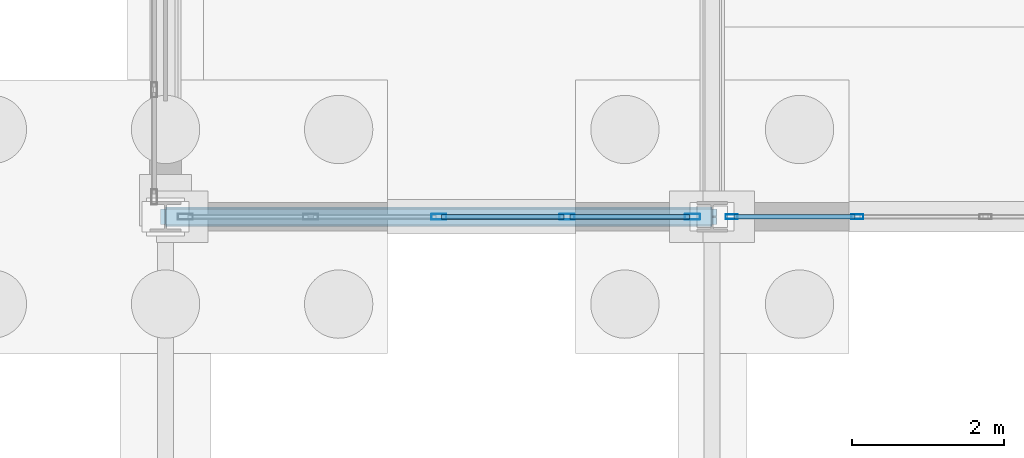
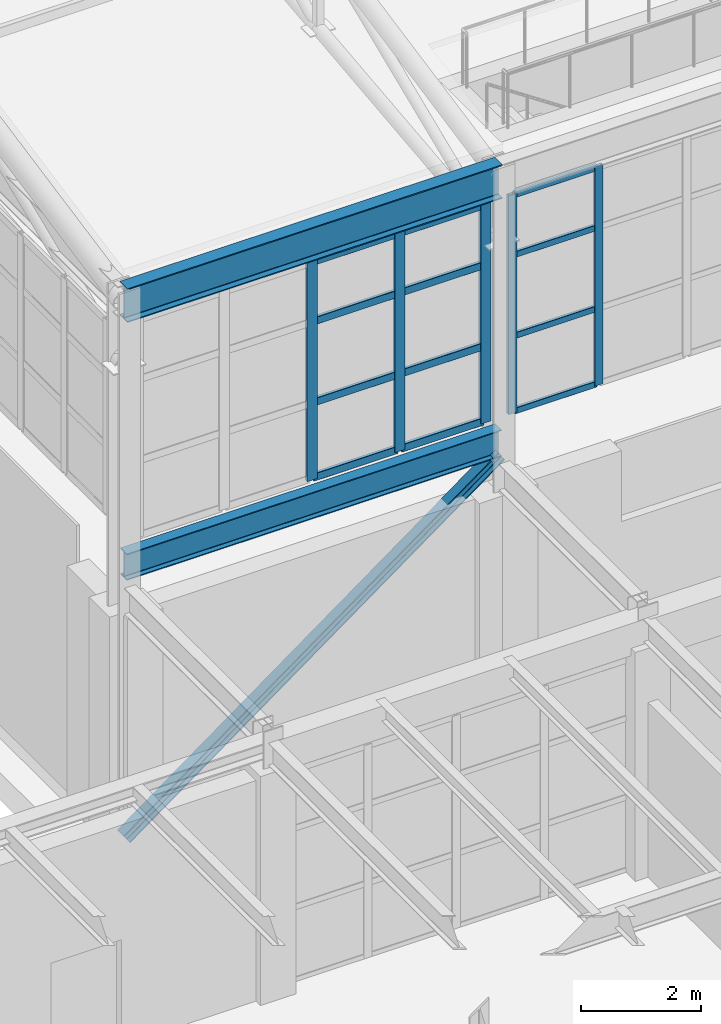
# One storey, part 106 of 293: 18 members, 2 beams, 2 elements without a shape of their own.
"""IFC4 building model written with IfcOpenShell, lengths in metres."""

from ifc_helpers import new_model, si_unit, direction, frame, origin, origin_2d, place, context, subcontext, project, spatial, hollow_rectangle, i_section, extrude, material, layer, layer_set, material_profile, profile_set, type_object, element, aggregate, save


model = new_model("IFC4")

# Units and contexts
model_context = context("Model", 3, precision=1e-05, world=origin(), true_north=direction((0.0, 1.0)))
body_context = subcontext(model_context, "Body", "Model", "MODEL_VIEW")
ifc_project = project(units=[si_unit("LENGTHUNIT", "METRE"), si_unit("AREAUNIT", "SQUARE_METRE"), si_unit("VOLUMEUNIT", "CUBIC_METRE"), si_unit("PLANEANGLEUNIT", "RADIAN"), si_unit("MASSUNIT", "GRAM", prefix="KILO")], contexts=[model_context])

# Site, building, storey
site_placement = place(None, origin())
site = spatial("IfcSite", under=ifc_project, at=site_placement, CompositionType="ELEMENT")
building_placement = place(site_placement, origin())
building = spatial("IfcBuilding", under=site, at=building_placement, Name="Kemerveld Promenade Tramway Depot", CompositionType="ELEMENT")
storey_placement = place(building_placement, origin())
storey = spatial("IfcBuildingStorey", under=building, at=storey_placement, Name="L00", CompositionType="ELEMENT", Elevation=0.0)

# Beams
ifc_material_1 = material(Name="Steel S355", Category="steel")
ifc_material_profile_1 = material_profile(ifc_material_1, i_section(OverallWidth=0.25439453125, OverallDepth=0.6875, WebThickness=0.01318359375, FlangeThickness=0.02099609375, FilletRadius=0.01513671875, at=origin_2d()), Name="686x254x152 UB")
ifc_profile_set_1 = profile_set([ifc_material_profile_1], Name="Steel S355")
beam_type_1 = type_object("IfcBeamType", Name="BM-G03", PredefinedType="BEAM", material=ifc_profile_set_1)
beam_1_placement = place(storey_placement, frame((36.0, 84.0, 11.056396484375), z_axis=(1.0, 0.0, 0.0), x_axis=(0.0, 1.0, 0.0)))
element("IfcBeam", 1, at=beam_1_placement, inside=storey, type_object=beam_type_1, Name="BM-SHED-EAVE-N-06", PredefinedType="BEAM", context=body_context, shape_type="SweptSolid", body=[
    extrude(i_section(OverallWidth=0.25439453125, OverallDepth=0.6875, WebThickness=0.01318359375, FlangeThickness=0.02099609375, FilletRadius=0.01513671875, at=origin_2d()), origin(), (0.0, 0.0, 1.0), 7.199951171875),
])
ifc_material_profile_2 = material_profile(ifc_material_1, i_section(OverallWidth=0.2099609375, OverallDepth=0.53662109375, WebThickness=0.0107421875, FlangeThickness=0.017333984375, FilletRadius=0.0126953125, at=origin_2d()), Name="533x210x101 UB")
ifc_profile_set_2 = profile_set([ifc_material_profile_2], Name="Steel S355")
beam_type_2 = type_object("IfcBeamType", Name="BM-G05", PredefinedType="BEAM", material=ifc_profile_set_2)
beam_2_placement = place(storey_placement, frame((36.0, 84.0, 5.731689453125), z_axis=(1.0, 0.0, 0.0), x_axis=(0.0, 1.0, 0.0)))
element("IfcBeam", 2, at=beam_2_placement, inside=storey, type_object=beam_type_2, Name="BM-SHED-MID-N-06", PredefinedType="BEAM", context=body_context, shape_type="SweptSolid", body=[
    extrude(i_section(OverallWidth=0.2099609375, OverallDepth=0.53662109375, WebThickness=0.0107421875, FlangeThickness=0.017333984375, FilletRadius=0.0126953125, at=origin_2d()), origin(), (0.0, 0.0, 1.0), 7.199951171875),
])

# Curtain wall, members
ifc_material_2 = material(Name="Bronze anodised aluminium and solar glass", Category="aluminium")
ifc_layer_1 = layer(ifc_material_2, 0.159912109375)
ifc_layer_set_1 = layer_set([ifc_layer_1], Name="CW-SYS-05")
curtain_wall_type_1 = type_object("IfcCurtainWallType", Name="CW-SYS-05", PredefinedType="USERDEFINED", material=ifc_layer_set_1)
curtain_wall_1_placement = place(storey_placement, origin())
curtain_wall_1 = element("IfcCurtainWall", 3, at=curtain_wall_1_placement, inside=storey, type_object=curtain_wall_type_1, Name="CW-V1-S-02", ObjectType="GLAZED_CURTAIN_WALL", PredefinedType="USERDEFINED")
ifc_material_3 = material(Name="Bronze anodised aluminium", Category="aluminium")
ifc_material_profile_3 = material_profile(ifc_material_3, hollow_rectangle(XDim=0.06494140625, YDim=0.159912109375, WallThickness=0.00390625, InnerFilletRadius=0.001953125, OuterFilletRadius=0.00390625, at=origin_2d()), Name="CW-MUL-160x65")
ifc_profile_set_3 = profile_set([ifc_material_profile_3], Name="Bronze anodised aluminium")
member_type_1 = type_object("IfcMemberType", Name="CW-MUL-A", PredefinedType="MULLION", material=ifc_profile_set_3)
member_1_placement = place(storey_placement, frame((45.111572265625, 84.0, 6.199951171875), z_axis=(0.0, 0.0, 1.0), x_axis=(0.0, -1.0, 0.0)))
member_1 = element("IfcMember", 4, at=member_1_placement, type_object=member_type_1, Name="CW05 mullion 4", PredefinedType="MULLION", context=body_context, shape_type="SweptSolid", body=[
    extrude(hollow_rectangle(XDim=0.06494140625, YDim=0.159912109375, WallThickness=0.00390625, InnerFilletRadius=0.001953125, OuterFilletRadius=0.00390625, at=origin_2d()), origin(), (0.0, 0.0, 1.0), 4.449951171875),
])
member_2_placement = place(storey_placement, frame((43.455810546875, 84.0, 6.199951171875), z_axis=(0.0, 0.0, 1.0), x_axis=(0.0, -1.0, 0.0)))
member_2 = element("IfcMember", 5, at=member_2_placement, type_object=member_type_1, Name="CW05 mullion 5", PredefinedType="MULLION", context=body_context, shape_type="SweptSolid", body=[
    extrude(hollow_rectangle(XDim=0.06494140625, YDim=0.159912109375, WallThickness=0.00390625, InnerFilletRadius=0.001953125, OuterFilletRadius=0.00390625, at=origin_2d()), origin(), (0.0, 0.0, 1.0), 4.449951171875),
])

ifc_layer_2 = layer(ifc_material_2, 0.199951171875)
ifc_layer_set_2 = layer_set([ifc_layer_2], Name="CW-SYS-04")
curtain_wall_type_2 = type_object("IfcCurtainWallType", Name="CW-SYS-04", PredefinedType="USERDEFINED", material=ifc_layer_set_2)
curtain_wall_2_placement = place(storey_placement, origin())
curtain_wall_2 = element("IfcCurtainWall", 6, at=curtain_wall_2_placement, inside=storey, type_object=curtain_wall_type_2, Name="CW-V1-S-01", ObjectType="GLAZED_CURTAIN_WALL", PredefinedType="USERDEFINED")
ifc_material_profile_4 = material_profile(ifc_material_3, hollow_rectangle(XDim=0.074951171875, YDim=0.199951171875, WallThickness=0.0048828125, InnerFilletRadius=0.001953125, OuterFilletRadius=0.0048828125, at=origin_2d()), Name="CW-MUL-200x75")
ifc_profile_set_4 = profile_set([ifc_material_profile_4], Name="Bronze anodised aluminium")
member_type_2 = type_object("IfcMemberType", Name="CW-MUL-B", PredefinedType="MULLION", material=ifc_profile_set_4)
member_3_placement = place(storey_placement, frame((42.939208984375, 84.0, 6.199951171875), z_axis=(0.0, 0.0, 1.0), x_axis=(0.0, -1.0, 0.0)))
member_3 = element("IfcMember", 7, at=member_3_placement, type_object=member_type_2, Name="CW04 mullion 1", PredefinedType="MULLION", context=body_context, shape_type="SweptSolid", body=[
    extrude(hollow_rectangle(XDim=0.074951171875, YDim=0.199951171875, WallThickness=0.0048828125, InnerFilletRadius=0.001953125, OuterFilletRadius=0.0048828125, at=origin_2d()), origin(), (0.0, 0.0, 1.0), 4.449951171875),
])
member_4_placement = place(storey_placement, frame((41.288330078125, 84.0, 6.199951171875), z_axis=(0.0, 0.0, 1.0), x_axis=(0.0, -1.0, 0.0)))
member_4 = element("IfcMember", 8, at=member_4_placement, type_object=member_type_2, Name="CW04 mullion 2", PredefinedType="MULLION", context=body_context, shape_type="SweptSolid", body=[
    extrude(hollow_rectangle(XDim=0.074951171875, YDim=0.199951171875, WallThickness=0.0048828125, InnerFilletRadius=0.001953125, OuterFilletRadius=0.0048828125, at=origin_2d()), origin(), (0.0, 0.0, 1.0), 4.449951171875),
])
member_5_placement = place(storey_placement, frame((39.60009765625, 84.0, 6.199951171875), z_axis=(0.0, 0.0, 1.0), x_axis=(0.0, -1.0, 0.0)))
member_5 = element("IfcMember", 9, at=member_5_placement, type_object=member_type_2, Name="CW04 mullion 3", PredefinedType="MULLION", context=body_context, shape_type="SweptSolid", body=[
    extrude(hollow_rectangle(XDim=0.074951171875, YDim=0.199951171875, WallThickness=0.0048828125, InnerFilletRadius=0.001953125, OuterFilletRadius=0.0048828125, at=origin_2d()), origin(), (0.0, 0.0, 1.0), 4.449951171875),
])

# Member
ifc_material_profile_5 = material_profile(ifc_material_3, hollow_rectangle(XDim=0.06005859375, YDim=0.1201171875, WallThickness=0.00390625, InnerFilletRadius=0.001953125, OuterFilletRadius=0.00390625, at=origin_2d()), Name="CW-TRN-120x60")
ifc_profile_set_5 = profile_set([ifc_material_profile_5], Name="Bronze anodised aluminium")
member_type_3 = type_object("IfcMemberType", Name="CW-TRN-A", PredefinedType="USERDEFINED", material=ifc_profile_set_5)
member_6_placement = place(storey_placement, frame((45.0791015625, 84.0, 6.22998046875), z_axis=(-1.0, 0.0, 0.0), x_axis=(0.0, -1.0, 0.0)))
member_6 = element("IfcMember", 10, at=member_6_placement, type_object=member_type_3, Name="CW05 transom 4.1", ObjectType="TRANSOM", PredefinedType="USERDEFINED", context=body_context, shape_type="SweptSolid", body=[
    extrude(hollow_rectangle(XDim=0.06005859375, YDim=0.1201171875, WallThickness=0.00390625, InnerFilletRadius=0.001953125, OuterFilletRadius=0.00390625, at=origin_2d()), origin(), (0.0, 0.0, 1.0), 1.5908203125),
])

member_7_placement = place(storey_placement, frame((45.0791015625, 84.0, 7.758056640625), z_axis=(-1.0, 0.0, 0.0), x_axis=(0.0, -1.0, 0.0)))
member_7 = element("IfcMember", 11, at=member_7_placement, type_object=member_type_3, Name="CW05 transom 4.2", ObjectType="TRANSOM", PredefinedType="USERDEFINED", context=body_context, shape_type="SweptSolid", body=[
    extrude(hollow_rectangle(XDim=0.06005859375, YDim=0.1201171875, WallThickness=0.00390625, InnerFilletRadius=0.001953125, OuterFilletRadius=0.00390625, at=origin_2d()), origin(), (0.0, 0.0, 1.0), 1.5908203125),
])

member_8_placement = place(storey_placement, frame((45.0791015625, 84.0, 9.404052734375), z_axis=(-1.0, 0.0, 0.0), x_axis=(0.0, -1.0, 0.0)))
member_8 = element("IfcMember", 12, at=member_8_placement, type_object=member_type_3, Name="CW05 transom 4.3", ObjectType="TRANSOM", PredefinedType="USERDEFINED", context=body_context, shape_type="SweptSolid", body=[
    extrude(hollow_rectangle(XDim=0.06005859375, YDim=0.1201171875, WallThickness=0.00390625, InnerFilletRadius=0.001953125, OuterFilletRadius=0.00390625, at=origin_2d()), origin(), (0.0, 0.0, 1.0), 1.5908203125),
])

member_9_placement = place(storey_placement, frame((45.0791015625, 84.0, 10.6201171875), z_axis=(-1.0, 0.0, 0.0), x_axis=(0.0, -1.0, 0.0)))
member_9 = element("IfcMember", 13, at=member_9_placement, type_object=member_type_3, Name="CW05 transom 4.4", ObjectType="TRANSOM", PredefinedType="USERDEFINED", context=body_context, shape_type="SweptSolid", body=[
    extrude(hollow_rectangle(XDim=0.06005859375, YDim=0.1201171875, WallThickness=0.00390625, InnerFilletRadius=0.001953125, OuterFilletRadius=0.00390625, at=origin_2d()), origin(), (0.0, 0.0, 1.0), 1.5908203125),
])

aggregate(curtain_wall_1, [member_1, member_2, member_6, member_7, member_8, member_9])

ifc_material_profile_6 = material_profile(ifc_material_3, hollow_rectangle(XDim=0.06494140625, YDim=0.14990234375, WallThickness=0.00439453125, InnerFilletRadius=0.001953125, OuterFilletRadius=0.00439453125, at=origin_2d()), Name="CW-TRN-150x65")
ifc_profile_set_6 = profile_set([ifc_material_profile_6], Name="Bronze anodised aluminium")
member_type_4 = type_object("IfcMemberType", Name="CW-TRN-B", PredefinedType="USERDEFINED", material=ifc_profile_set_6)
member_10_placement = place(storey_placement, frame((42.90185546875, 84.0, 6.232421875), z_axis=(-1.0, 0.0, 0.0), x_axis=(0.0, -1.0, 0.0)))
member_10 = element("IfcMember", 14, at=member_10_placement, type_object=member_type_4, Name="CW04 transom 1.1", ObjectType="TRANSOM", PredefinedType="USERDEFINED", context=body_context, shape_type="SweptSolid", body=[
    extrude(hollow_rectangle(XDim=0.06494140625, YDim=0.14990234375, WallThickness=0.00439453125, InnerFilletRadius=0.001953125, OuterFilletRadius=0.00439453125, at=origin_2d()), origin(), (0.0, 0.0, 1.0), 1.575927734375),
])

member_11_placement = place(storey_placement, frame((42.90185546875, 84.0, 7.758056640625), z_axis=(-1.0, 0.0, 0.0), x_axis=(0.0, -1.0, 0.0)))
member_11 = element("IfcMember", 15, at=member_11_placement, type_object=member_type_4, Name="CW04 transom 1.2", ObjectType="TRANSOM", PredefinedType="USERDEFINED", context=body_context, shape_type="SweptSolid", body=[
    extrude(hollow_rectangle(XDim=0.06494140625, YDim=0.14990234375, WallThickness=0.00439453125, InnerFilletRadius=0.001953125, OuterFilletRadius=0.00439453125, at=origin_2d()), origin(), (0.0, 0.0, 1.0), 1.575927734375),
])

member_12_placement = place(storey_placement, frame((42.90185546875, 84.0, 9.404052734375), z_axis=(-1.0, 0.0, 0.0), x_axis=(0.0, -1.0, 0.0)))
member_12 = element("IfcMember", 16, at=member_12_placement, type_object=member_type_4, Name="CW04 transom 1.3", ObjectType="TRANSOM", PredefinedType="USERDEFINED", context=body_context, shape_type="SweptSolid", body=[
    extrude(hollow_rectangle(XDim=0.06494140625, YDim=0.14990234375, WallThickness=0.00439453125, InnerFilletRadius=0.001953125, OuterFilletRadius=0.00439453125, at=origin_2d()), origin(), (0.0, 0.0, 1.0), 1.575927734375),
])

member_13_placement = place(storey_placement, frame((42.90185546875, 84.0, 10.617431640625), z_axis=(-1.0, 0.0, 0.0), x_axis=(0.0, -1.0, 0.0)))
member_13 = element("IfcMember", 17, at=member_13_placement, type_object=member_type_4, Name="CW04 transom 1.4", ObjectType="TRANSOM", PredefinedType="USERDEFINED", context=body_context, shape_type="SweptSolid", body=[
    extrude(hollow_rectangle(XDim=0.06494140625, YDim=0.14990234375, WallThickness=0.00439453125, InnerFilletRadius=0.001953125, OuterFilletRadius=0.00439453125, at=origin_2d()), origin(), (0.0, 0.0, 1.0), 1.575927734375),
])

member_14_placement = place(storey_placement, frame((41.2509765625, 84.0, 6.232421875), z_axis=(-1.0, 0.0, 0.0), x_axis=(0.0, -1.0, 0.0)))
member_14 = element("IfcMember", 18, at=member_14_placement, type_object=member_type_4, Name="CW04 transom 2.1", ObjectType="TRANSOM", PredefinedType="USERDEFINED", context=body_context, shape_type="SweptSolid", body=[
    extrude(hollow_rectangle(XDim=0.06494140625, YDim=0.14990234375, WallThickness=0.00439453125, InnerFilletRadius=0.001953125, OuterFilletRadius=0.00439453125, at=origin_2d()), origin(), (0.0, 0.0, 1.0), 1.613525390625),
])

member_15_placement = place(storey_placement, frame((41.2509765625, 84.0, 7.758056640625), z_axis=(-1.0, 0.0, 0.0), x_axis=(0.0, -1.0, 0.0)))
member_15 = element("IfcMember", 19, at=member_15_placement, type_object=member_type_4, Name="CW04 transom 2.2", ObjectType="TRANSOM", PredefinedType="USERDEFINED", context=body_context, shape_type="SweptSolid", body=[
    extrude(hollow_rectangle(XDim=0.06494140625, YDim=0.14990234375, WallThickness=0.00439453125, InnerFilletRadius=0.001953125, OuterFilletRadius=0.00439453125, at=origin_2d()), origin(), (0.0, 0.0, 1.0), 1.613525390625),
])

member_16_placement = place(storey_placement, frame((41.2509765625, 84.0, 9.404052734375), z_axis=(-1.0, 0.0, 0.0), x_axis=(0.0, -1.0, 0.0)))
member_16 = element("IfcMember", 20, at=member_16_placement, type_object=member_type_4, Name="CW04 transom 2.3", ObjectType="TRANSOM", PredefinedType="USERDEFINED", context=body_context, shape_type="SweptSolid", body=[
    extrude(hollow_rectangle(XDim=0.06494140625, YDim=0.14990234375, WallThickness=0.00439453125, InnerFilletRadius=0.001953125, OuterFilletRadius=0.00439453125, at=origin_2d()), origin(), (0.0, 0.0, 1.0), 1.613525390625),
])

member_17_placement = place(storey_placement, frame((41.2509765625, 84.0, 10.617431640625), z_axis=(-1.0, 0.0, 0.0), x_axis=(0.0, -1.0, 0.0)))
member_17 = element("IfcMember", 21, at=member_17_placement, type_object=member_type_4, Name="CW04 transom 2.4", ObjectType="TRANSOM", PredefinedType="USERDEFINED", context=body_context, shape_type="SweptSolid", body=[
    extrude(hollow_rectangle(XDim=0.06494140625, YDim=0.14990234375, WallThickness=0.00439453125, InnerFilletRadius=0.001953125, OuterFilletRadius=0.00439453125, at=origin_2d()), origin(), (0.0, 0.0, 1.0), 1.613525390625),
])

aggregate(curtain_wall_2, [member_3, member_4, member_5, member_10, member_11, member_12, member_13, member_14, member_15, member_16, member_17])

ifc_material_profile_7 = material_profile(ifc_material_1, i_section(OverallWidth=0.208984375, OverallDepth=0.22216796875, WebThickness=0.0126953125, FlangeThickness=0.0205078125, FilletRadius=0.01025390625, at=origin_2d()), Name="203x203x86 UC")
ifc_profile_set_7 = profile_set([ifc_material_profile_7], Name="Steel S355")
member_type_5 = type_object("IfcMemberType", Name="MB-TB5", PredefinedType="BRACE", material=ifc_profile_set_7)
member_18_placement = place(storey_placement, frame((36.0, 84.0, 0.199951171875), z_axis=(0.807288292304, 0.0, 0.590157278281), x_axis=(0.0, 1.0, 0.0)))
element("IfcMember", 22, at=member_18_placement, inside=storey, type_object=member_type_5, Name="BR-SHED-WALL-N-06-A", PredefinedType="BRACE", context=body_context, shape_type="SweptSolid", body=[
    extrude(i_section(OverallWidth=0.208984375, OverallDepth=0.22216796875, WebThickness=0.0126953125, FlangeThickness=0.0205078125, FilletRadius=0.01025390625, at=origin_2d()), origin(), (0.0, 0.0, 1.0), 8.918701171875),
])

save(model, "model.ifc")
